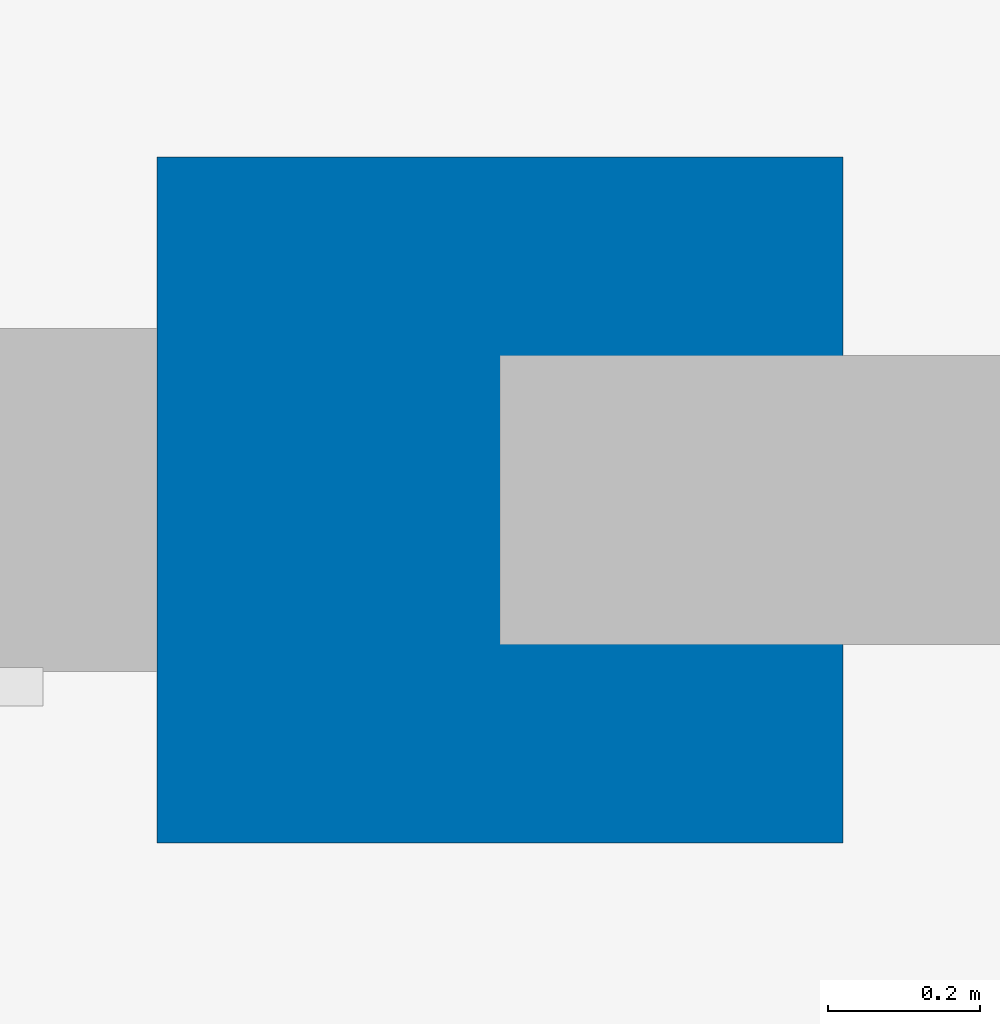
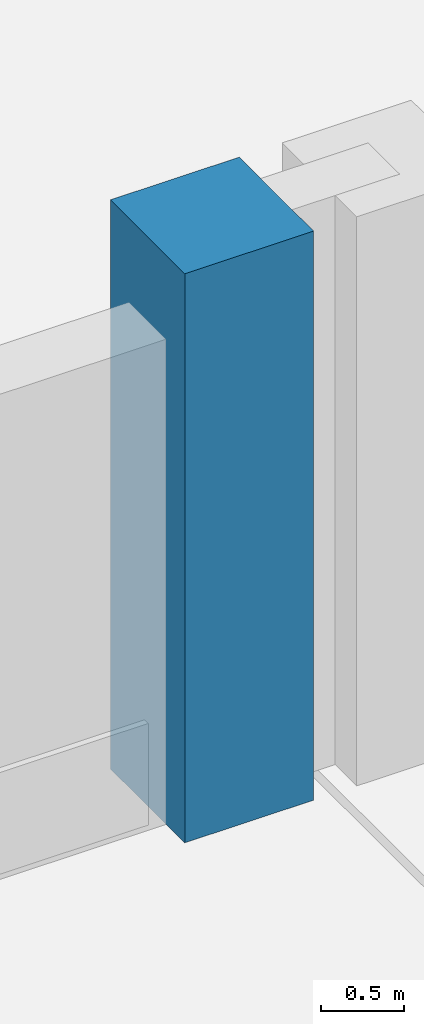
# One storey, part 23 of 77: 1 column.
"""IFC4 building model written with IfcOpenShell, lengths in metres."""

from ifc_helpers import new_model, si_unit, direction, frame, origin, origin_2d, place, context, subcontext, project, spatial, rectangle, extrude, material, material_profile, profile_set, type_object, element, save


model = new_model("IFC4")

# Units and contexts
model_context = context("Model", 3, precision=1e-05, world=origin(), true_north=direction((0.0, 1.0)))
body_context = subcontext(model_context, "Body", "Model", "MODEL_VIEW")
ifc_project = project(units=[si_unit("LENGTHUNIT", "METRE"), si_unit("AREAUNIT", "SQUARE_METRE"), si_unit("VOLUMEUNIT", "CUBIC_METRE"), si_unit("PLANEANGLEUNIT", "RADIAN"), si_unit("MASSUNIT", "GRAM", prefix="KILO")], contexts=[model_context])

# Site, building, storey
site_placement = place(None, origin())
site = spatial("IfcSite", under=ifc_project, at=site_placement, CompositionType="ELEMENT")
building_placement = place(site_placement, origin())
building = spatial("IfcBuilding", under=site, at=building_placement, Name="Zilviju Railside Exhibition Hall", CompositionType="ELEMENT")
storey_placement = place(building_placement, origin())
storey = spatial("IfcBuildingStorey", under=building, at=storey_placement, Name="L01", CompositionType="ELEMENT", Elevation=0.0)

# Column
ifc_material = material(Name="Concrete C40/50", Category="concrete")
ifc_material_profile = material_profile(ifc_material, rectangle(XDim=0.89990234375, YDim=0.89990234375, at=origin_2d()), Name="RC COL 900x900")
ifc_profile_set = profile_set([ifc_material_profile], Name="Concrete C40/50")
column_type = type_object("IfcColumnType", Name="COL-RC-900", PredefinedType="COLUMN", material=ifc_profile_set)
column_placement = place(storey_placement, frame((125.39990234375, 84.0, 0.0), z_axis=(0.0, 0.0, 1.0), x_axis=(1.0, 0.0, 0.0)))
element("IfcColumn", 1, at=column_placement, inside=storey, type_object=column_type, Name="Structural Column L01 (125.4, 84.0)", PredefinedType="COLUMN", context=body_context, shape_type="SweptSolid", body=[
    extrude(rectangle(XDim=0.89990234375, YDim=0.89990234375, at=origin_2d()), origin(), (0.0, 0.0, 1.0), 4.199951171875),
])

save(model, "model.ifc")
